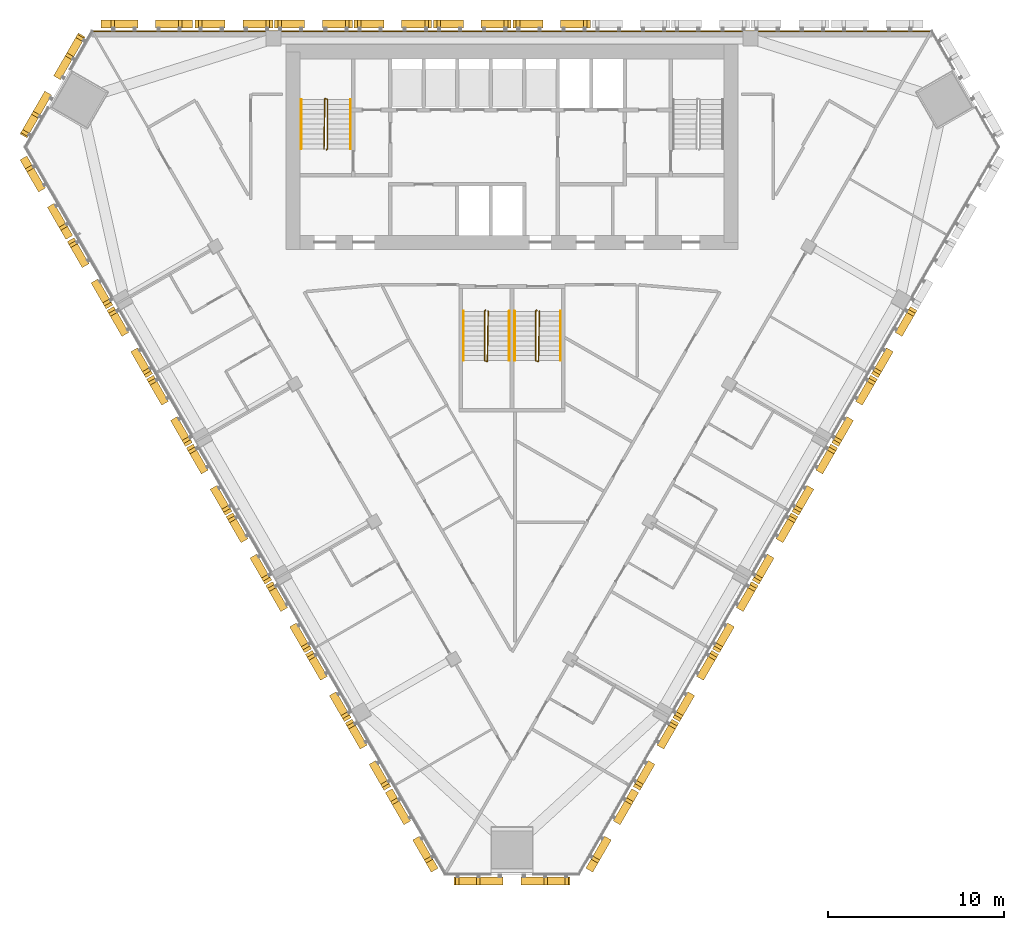
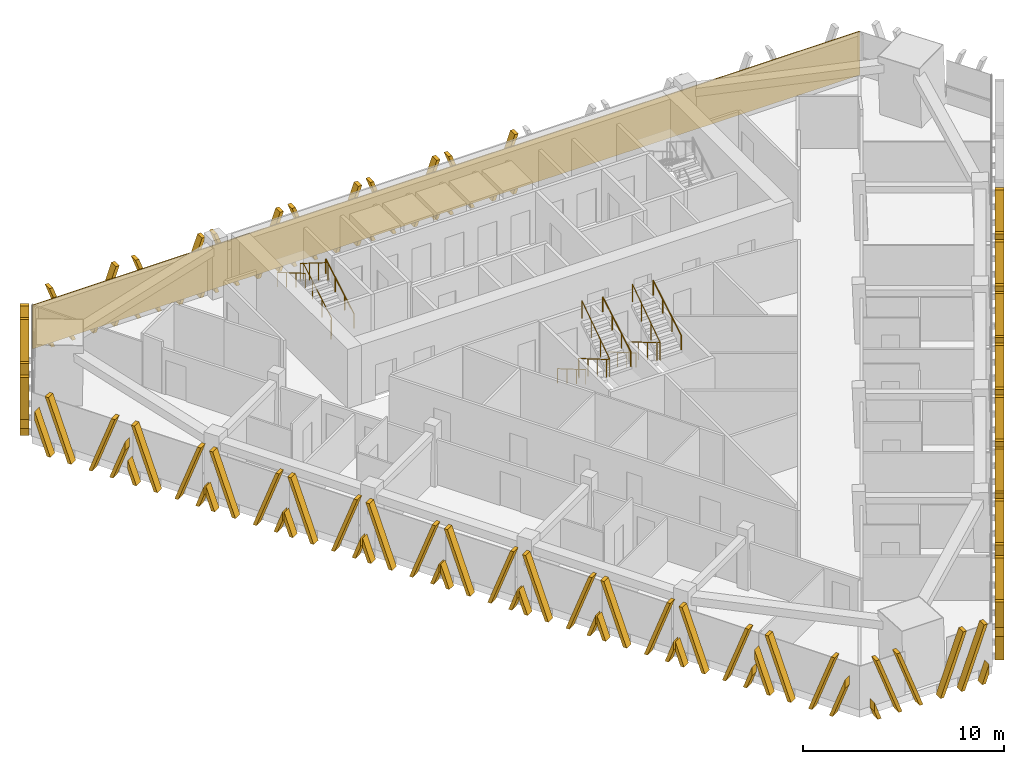
# One storey, part 14 of 16: 26 shading devices, 9 railings, 1 covering.
"""IFC4 building model written with IfcOpenShell, lengths in metres."""

from ifc_helpers import new_model, si_unit, direction, frame, frame_2d, origin, origin_2d, place, context, subcontext, project, spatial, polyline, rectangle, circle, outline, extrude, source, transform, mapped, material, layer, layer_set, type_object, element, save


model = new_model("IFC4")

# Units and contexts
model_context = context("Model", 3, precision=1e-05, world=origin(), true_north=direction((0.0, 1.0)))
body_context = subcontext(model_context, "Body", "Model", "MODEL_VIEW")
ifc_project = project(units=[si_unit("LENGTHUNIT", "METRE"), si_unit("AREAUNIT", "SQUARE_METRE"), si_unit("VOLUMEUNIT", "CUBIC_METRE"), si_unit("PLANEANGLEUNIT", "RADIAN"), si_unit("MASSUNIT", "GRAM", prefix="KILO")], contexts=[model_context])

# Site, building, storey
site_placement = place(None, origin())
site = spatial("IfcSite", under=ifc_project, at=site_placement, CompositionType="ELEMENT")
building_placement = place(site_placement, origin())
building = spatial("IfcBuilding", under=site, at=building_placement, Name="Altiplano Prism Tower", CompositionType="ELEMENT")
storey_placement = place(building_placement, frame((0.0, 0.0, 138.60009765625)))
storey = spatial("IfcBuildingStorey", under=building, at=storey_placement, Name="L35", CompositionType="ELEMENT", Elevation=138.60009765625)

# Railings
ifc_material_1 = material(Name="Steel S355", Category="steel")
railing_type_1 = type_object("IfcRailingType", Name="Stair guard 1100", PredefinedType="GUARDRAIL", material=ifc_material_1)
railing_1_placement = place(storey_placement, frame((74.5, 98.25, 0.0)))
element("IfcRailing", 1, at=railing_1_placement, inside=storey, type_object=railing_type_1, Name="L35 ST1 stair guard 1", PredefinedType="GUARDRAIL", context=body_context, shape_type="SweptSolid", body=[
    extrude(circle(Radius=0.02392578125, at=origin_2d()), frame((0.0, 0.0, 1.076171875), z_axis=(0.280808744504, 0.280808744504, 0.917765164963), x_axis=(-0.707106781187, 0.707106781187, 0.0)), (0.0, 0.0, 1.0), 0.17822265625),
    extrude(circle(Radius=0.02392578125, at=origin_2d()), frame((0.050048828125, 0.050048828125, 1.23974609375), z_axis=(0.0, 0.863393664356, 0.504530851732), x_axis=(-1.0, 0.0, 0.0)), (0.0, 0.0, 1.0), 3.2431640625),
    extrude(circle(Radius=0.02392578125, at=origin_2d()), frame((0.050048828125, 2.85009765625, 2.8759765625), z_axis=(-0.949145278916, 0.314838433982, 0.0), x_axis=(-0.314838433982, -0.949145278916, 0.0)), (0.0, 0.0, 1.0), 0.158203125),
    extrude(circle(Radius=0.02392578125, at=origin_2d()), frame((-0.10009765625, 2.89990234375, 2.8759765625), z_axis=(-0.01477401265, -0.845377694409, 0.533964682676), x_axis=(0.999847325713, -0.01747355902, 0.0)), (0.0, 0.0, 1.0), 3.37109375),
    extrude(circle(Radius=0.02099609375, at=origin_2d()), origin(), (0.0, 0.0, 1.0), 1.052001953125),
    extrude(circle(Radius=0.02099609375, at=origin_2d()), frame((0.050048828125, 0.050048828125, 0.16357421875)), (0.0, 0.0, 1.0), 1.052001953125),
    extrude(circle(Radius=0.02099609375, at=origin_2d()), frame((0.050048828125, 0.9833984375, 0.708984375)), (0.0, 0.0, 1.0), 1.052001953125),
    extrude(circle(Radius=0.02099609375, at=origin_2d()), frame((0.050048828125, 1.916748046875, 1.25439453125)), (0.0, 0.0, 1.0), 1.052001953125),
    extrude(circle(Radius=0.02099609375, at=origin_2d()), frame((0.050048828125, 2.85009765625, 1.7998046875)), (0.0, 0.0, 1.0), 1.052001953125),
    extrude(circle(Radius=0.02099609375, at=origin_2d()), frame((-0.10009765625, 2.89990234375, 1.7998046875)), (0.0, 0.0, 1.0), 1.052001953125),
    extrude(circle(Radius=0.02099609375, at=origin_2d()), frame((-0.11669921875, 1.949951171875, 2.39990234375)), (0.0, 0.0, 1.0), 1.052001953125),
    extrude(circle(Radius=0.02099609375, at=origin_2d()), frame((-0.13330078125, 1.0, 2.999755859375)), (0.0, 0.0, 1.0), 1.052001953125),
    extrude(circle(Radius=0.02099609375, at=origin_2d()), frame((-0.14990234375, 0.050048828125, 3.599853515625)), (0.0, 0.0, 1.0), 1.052001953125),
])
railing_2_placement = place(storey_placement, frame((83.5, 89.14990234375, 0.0)))
element("IfcRailing", 2, at=railing_2_placement, inside=storey, type_object=railing_type_1, Name="L35 ST3A stair guard 1", PredefinedType="GUARDRAIL", context=body_context, shape_type="SweptSolid", body=[
    extrude(circle(Radius=0.02392578125, at=origin_2d()), frame((0.0, 0.0, 1.076171875), z_axis=(-0.280916556609, -0.279546231943, 0.91811752648), x_axis=(0.705375805398, -0.708833529934, 0.0)), (0.0, 0.0, 1.0), 0.17822265625),
    extrude(circle(Radius=0.02392578125, at=origin_2d()), frame((-0.050048828125, -0.0498046875, 1.23974609375), z_axis=(0.0, -0.863393664356, 0.504530851732), x_axis=(1.0, 0.0, 0.0)), (0.0, 0.0, 1.0), 3.2431640625),
    extrude(circle(Radius=0.02392578125, at=origin_2d()), frame((-0.050048828125, -2.849853515625, 2.8759765625), z_axis=(0.948683298051, -0.316227766017, 0.0), x_axis=(0.316227766017, 0.948683298051, 0.0)), (0.0, 0.0, 1.0), 0.158203125),
    extrude(circle(Radius=0.02392578125, at=origin_2d()), frame((0.10009765625, -2.89990234375, 2.8759765625), z_axis=(0.014773108175, 0.84539835705, 0.533931993021), x_axis=(-0.999847351862, 0.017472062685, 0.0)), (0.0, 0.0, 1.0), 3.371337890625),
    extrude(circle(Radius=0.02099609375, at=origin_2d()), origin(), (0.0, 0.0, 1.0), 1.052001953125),
    extrude(circle(Radius=0.02099609375, at=origin_2d()), frame((-0.050048828125, -0.0498046875, 0.16357421875)), (0.0, 0.0, 1.0), 1.052001953125),
    extrude(circle(Radius=0.02099609375, at=origin_2d()), frame((-0.050048828125, -0.983154296875, 0.708984375)), (0.0, 0.0, 1.0), 1.052001953125),
    extrude(circle(Radius=0.02099609375, at=origin_2d()), frame((-0.050048828125, -1.91650390625, 1.25439453125)), (0.0, 0.0, 1.0), 1.052001953125),
    extrude(circle(Radius=0.02099609375, at=origin_2d()), frame((-0.050048828125, -2.849853515625, 1.7998046875)), (0.0, 0.0, 1.0), 1.052001953125),
    extrude(circle(Radius=0.02099609375, at=origin_2d()), frame((0.10009765625, -2.89990234375, 1.7998046875)), (0.0, 0.0, 1.0), 1.052001953125),
    extrude(circle(Radius=0.02099609375, at=origin_2d()), frame((0.11669921875, -1.949951171875, 2.39990234375)), (0.0, 0.0, 1.0), 1.052001953125),
    extrude(circle(Radius=0.02099609375, at=origin_2d()), frame((0.13330078125, -0.999755859375, 2.999755859375)), (0.0, 0.0, 1.0), 1.052001953125),
    extrude(circle(Radius=0.02099609375, at=origin_2d()), frame((0.14990234375, -0.0498046875, 3.599853515625)), (0.0, 0.0, 1.0), 1.052001953125),
])
railing_3_placement = place(storey_placement, frame((86.39990234375, 89.14990234375, 0.0)))
element("IfcRailing", 3, at=railing_3_placement, inside=storey, type_object=railing_type_1, Name="L35 ST3B stair guard 1", PredefinedType="GUARDRAIL", context=body_context, shape_type="SweptSolid", body=[
    extrude(circle(Radius=0.02392578125, at=origin_2d()), frame((0.0, 0.0, 1.076171875), z_axis=(-0.279653641804, -0.279653641804, 0.918470294159), x_axis=(0.707106781187, -0.707106781187, 0.0)), (0.0, 0.0, 1.0), 0.177978515625),
    extrude(circle(Radius=0.02392578125, at=origin_2d()), frame((-0.0498046875, -0.0498046875, 1.23974609375), z_axis=(0.0, -0.863393664356, 0.504530851732), x_axis=(1.0, 0.0, 0.0)), (0.0, 0.0, 1.0), 3.2431640625),
    extrude(circle(Radius=0.02392578125, at=origin_2d()), frame((-0.0498046875, -2.849853515625, 2.8759765625), z_axis=(0.948528701346, -0.316691178788, 0.0), x_axis=(0.316691178788, 0.948528701346, 0.0)), (0.0, 0.0, 1.0), 0.157958984375),
    extrude(circle(Radius=0.02392578125, at=origin_2d()), frame((0.10009765625, -2.89990234375, 2.8759765625), z_axis=(0.014845509451, 0.845397450405, 0.533931420407), x_axis=(-0.999845851991, 0.017557683712, 0.0)), (0.0, 0.0, 1.0), 3.371337890625),
    extrude(circle(Radius=0.02099609375, at=origin_2d()), origin(), (0.0, 0.0, 1.0), 1.052001953125),
    extrude(circle(Radius=0.02099609375, at=origin_2d()), frame((-0.0498046875, -0.0498046875, 0.16357421875)), (0.0, 0.0, 1.0), 1.052001953125),
    extrude(circle(Radius=0.02099609375, at=origin_2d()), frame((-0.0498046875, -0.983154296875, 0.708984375)), (0.0, 0.0, 1.0), 1.052001953125),
    extrude(circle(Radius=0.02099609375, at=origin_2d()), frame((-0.0498046875, -1.91650390625, 1.25439453125)), (0.0, 0.0, 1.0), 1.052001953125),
    extrude(circle(Radius=0.02099609375, at=origin_2d()), frame((-0.0498046875, -2.849853515625, 1.7998046875)), (0.0, 0.0, 1.0), 1.052001953125),
    extrude(circle(Radius=0.02099609375, at=origin_2d()), frame((0.10009765625, -2.89990234375, 1.7998046875)), (0.0, 0.0, 1.0), 1.052001953125),
    extrude(circle(Radius=0.02099609375, at=origin_2d()), frame((0.11669921875, -1.949951171875, 2.39990234375)), (0.0, 0.0, 1.0), 1.052001953125),
    extrude(circle(Radius=0.02099609375, at=origin_2d()), frame((0.133544921875, -0.999755859375, 2.999755859375)), (0.0, 0.0, 1.0), 1.052001953125),
    extrude(circle(Radius=0.02099609375, at=origin_2d()), frame((0.150146484375, -0.0498046875, 3.599853515625)), (0.0, 0.0, 1.0), 1.052001953125),
])
railing_type_2 = type_object("IfcRailingType", Name="Stair handrail 900", PredefinedType="HANDRAIL", material=ifc_material_1)
railing_4_placement = place(storey_placement, frame((75.85009765625, 98.300048828125, 0.16357421875)))
element("IfcRailing", 4, at=railing_4_placement, inside=storey, type_object=railing_type_2, Name="L35 ST1 stair handrail 1", PredefinedType="HANDRAIL", context=body_context, shape_type="SweptSolid", body=[
    extrude(circle(Radius=0.02392578125, at=origin_2d()), frame((0.0, 0.0, 0.8759765625), z_axis=(0.0, 0.863393664356, 0.504530851732), x_axis=(-1.0, 0.0, 0.0)), (0.0, 0.0, 1.0), 3.2431640625),
    extrude(circle(Radius=0.02099609375, at=origin_2d()), origin(), (0.0, 0.0, 1.0), 0.851806640625),
    extrude(circle(Radius=0.02099609375, at=origin_2d()), frame((0.0, 0.933349609375, 0.54541015625)), (0.0, 0.0, 1.0), 0.851806640625),
    extrude(circle(Radius=0.02099609375, at=origin_2d()), frame((0.0, 1.86669921875, 1.0908203125)), (0.0, 0.0, 1.0), 0.851806640625),
    extrude(circle(Radius=0.02099609375, at=origin_2d()), frame((0.0, 2.800048828125, 1.63623046875)), (0.0, 0.0, 1.0), 0.851806640625),
])
for number, where, name in (
    (5, (73.050048828125, 101.10009765625, 1.963623046875), "L35 ST1 stair handrail 2"),
    (6, (82.25, 89.10009765625, 0.16357421875), "L35 ST3A stair handrail 1"),
):
    element("IfcRailing", number, at=place(storey_placement, frame(where)), inside=storey, type_object=railing_type_2, Name=name, PredefinedType="HANDRAIL", context=body_context, shape_type="SweptSolid", body=[
        extrude(circle(Radius=0.02392578125, at=origin_2d()), frame((0.0, 0.0, 0.8759765625), z_axis=(0.0, -0.863393664356, 0.504530851732), x_axis=(1.0, 0.0, 0.0)), (0.0, 0.0, 1.0), 3.2431640625),
        extrude(circle(Radius=0.02099609375, at=origin_2d()), origin(), (0.0, 0.0, 1.0), 0.851806640625),
        extrude(circle(Radius=0.02099609375, at=origin_2d()), frame((0.0, -0.933349609375, 0.54541015625)), (0.0, 0.0, 1.0), 0.851806640625),
        extrude(circle(Radius=0.02099609375, at=origin_2d()), frame((0.0, -1.86669921875, 1.0908203125)), (0.0, 0.0, 1.0), 0.851806640625),
        extrude(circle(Radius=0.02099609375, at=origin_2d()), frame((0.0, -2.800048828125, 1.63623046875)), (0.0, 0.0, 1.0), 0.851806640625),
    ])
railing_5_placement = place(storey_placement, frame((84.85009765625, 86.300048828125, 1.963623046875)))
element("IfcRailing", 7, at=railing_5_placement, inside=storey, type_object=railing_type_2, Name="L35 ST3A stair handrail 2", PredefinedType="HANDRAIL", context=body_context, shape_type="SweptSolid", body=[
    extrude(circle(Radius=0.02392578125, at=origin_2d()), frame((0.0, 0.0, 0.8759765625), z_axis=(0.0, 0.863393664356, 0.504530851732), x_axis=(-1.0, 0.0, 0.0)), (0.0, 0.0, 1.0), 3.2431640625),
    extrude(circle(Radius=0.02099609375, at=origin_2d()), origin(), (0.0, 0.0, 1.0), 0.851806640625),
    extrude(circle(Radius=0.02099609375, at=origin_2d()), frame((0.0, 0.933349609375, 0.54541015625)), (0.0, 0.0, 1.0), 0.851806640625),
    extrude(circle(Radius=0.02099609375, at=origin_2d()), frame((0.0, 1.86669921875, 1.0908203125)), (0.0, 0.0, 1.0), 0.851806640625),
    extrude(circle(Radius=0.02099609375, at=origin_2d()), frame((0.0, 2.800048828125, 1.63623046875)), (0.0, 0.0, 1.0), 0.851806640625),
])
railing_6_placement = place(storey_placement, frame((85.14990234375, 89.10009765625, 0.16357421875)))
element("IfcRailing", 8, at=railing_6_placement, inside=storey, type_object=railing_type_2, Name="L35 ST3B stair handrail 1", PredefinedType="HANDRAIL", context=body_context, shape_type="SweptSolid", body=[
    extrude(circle(Radius=0.02392578125, at=origin_2d()), frame((0.0, 0.0, 0.8759765625), z_axis=(0.0, -0.863393664356, 0.504530851732), x_axis=(1.0, 0.0, 0.0)), (0.0, 0.0, 1.0), 3.2431640625),
    extrude(circle(Radius=0.02099609375, at=origin_2d()), origin(), (0.0, 0.0, 1.0), 0.851806640625),
    extrude(circle(Radius=0.02099609375, at=origin_2d()), frame((0.0, -0.933349609375, 0.54541015625)), (0.0, 0.0, 1.0), 0.851806640625),
    extrude(circle(Radius=0.02099609375, at=origin_2d()), frame((0.0, -1.86669921875, 1.0908203125)), (0.0, 0.0, 1.0), 0.851806640625),
    extrude(circle(Radius=0.02099609375, at=origin_2d()), frame((0.0, -2.800048828125, 1.63623046875)), (0.0, 0.0, 1.0), 0.851806640625),
])
railing_7_placement = place(storey_placement, frame((87.75, 86.300048828125, 1.963623046875)))
element("IfcRailing", 9, at=railing_7_placement, inside=storey, type_object=railing_type_2, Name="L35 ST3B stair handrail 2", PredefinedType="HANDRAIL", context=body_context, shape_type="SweptSolid", body=[
    extrude(circle(Radius=0.02392578125, at=origin_2d()), frame((0.0, 0.0, 0.8759765625), z_axis=(0.0, 0.863393664356, 0.504530851732), x_axis=(-1.0, 0.0, 0.0)), (0.0, 0.0, 1.0), 3.2431640625),
    extrude(circle(Radius=0.02099609375, at=origin_2d()), origin(), (0.0, 0.0, 1.0), 0.851806640625),
    extrude(circle(Radius=0.02099609375, at=origin_2d()), frame((0.0, 0.933349609375, 0.54541015625)), (0.0, 0.0, 1.0), 0.851806640625),
    extrude(circle(Radius=0.02099609375, at=origin_2d()), frame((0.0, 1.86669921875, 1.0908203125)), (0.0, 0.0, 1.0), 0.851806640625),
    extrude(circle(Radius=0.02099609375, at=origin_2d()), frame((0.0, 2.800048828125, 1.63623046875)), (0.0, 0.0, 1.0), 0.851806640625),
])

# Covering
ifc_material_2 = material(Name="Warm limestone cast stone", Category="masonry")
ifc_layer = layer(ifc_material_2, 0.06005859375)
ifc_layer_set = layer_set([ifc_layer], Name="Warm limestone cast stone")
covering_type = type_object("IfcCoveringType", Name="Stone cladding 60", PredefinedType="CLADDING", material=ifc_layer_set)
covering_placement = place(storey_placement, frame((61.2001953125, 104.969970703125, 0.0), z_axis=(0.0, 0.0, 1.0), x_axis=(1.0, 0.0, 0.0)))
element("IfcCovering", 10, at=covering_placement, inside=storey, type_object=covering_type, Name="Stone cladding north face L35", PredefinedType="CLADDING", context=body_context, shape_type="SweptSolid", body=[
    extrude(rectangle(XDim=47.599609375, YDim=0.06005859375, at=frame_2d((23.7998046875, 0.0))), origin(), (0.0, 0.0, 1.0), 2.64990234375),
])

# Shading devices
shading_device_type_1 = type_object("IfcShadingDeviceType", Name="Stone fin panel, standard unit", PredefinedType="USERDEFINED", material=ifc_material_2)
shared_shape_1 = source(origin(), body_context, "Body", "SweptSolid", [
    extrude(outline(polyline([(-2.199951171875, 1.373779296875), (-2.199951171875, 0.82421875), (-1.89990234375, 0.0), (-1.699951171875, 0.0), (-2.199951171875, 1.373779296875)])), frame((0.0, -0.14990234375, 0.0), z_axis=(0.0, -1.0, 0.0), x_axis=(1.0, 0.0, 0.0)), (0.0, 0.0, 1.0), 0.4501953125),
    extrude(outline(polyline([(-2.01025390625, 3.60009765625), (-0.699951171875, 0.0), (-0.5, 0.0), (-1.810302734375, 3.60009765625), (-2.01025390625, 3.60009765625)])), frame((0.0, -0.14990234375, 0.0), z_axis=(0.0, -1.0, 0.0), x_axis=(1.0, 0.0, 0.0)), (0.0, 0.0, 1.0), 0.4501953125),
    extrude(outline(polyline([(1.810302734375, 3.60009765625), (0.5, 0.0), (0.699951171875, 0.0), (2.01025390625, 3.60009765625), (1.810302734375, 3.60009765625)])), frame((0.0, -0.14990234375, 0.0), z_axis=(0.0, -1.0, 0.0), x_axis=(1.0, 0.0, 0.0)), (0.0, 0.0, 1.0), 0.4501953125),
    extrude(outline(polyline([(2.199951171875, 0.82421875), (2.199951171875, 1.373779296875), (1.699951171875, 0.0), (1.89990234375, 0.0), (2.199951171875, 0.82421875)])), frame((0.0, -0.14990234375, 0.0), z_axis=(0.0, -1.0, 0.0), x_axis=(1.0, 0.0, 0.0)), (0.0, 0.0, 1.0), 0.4501953125),
])
shading_device_1_placement = place(storey_placement, origin())
element("IfcShadingDevice", 11, at=shading_device_1_placement, inside=storey, type_object=shading_device_type_1, Name="Fin L35 north face 5", ObjectType="FIN", PredefinedType="USERDEFINED", context=body_context, shape_type="MappedRepresentation", body=[
    mapped(shared_shape_1, transform((87.25, 105.0, -0.4501953125), x_axis=(-1.0, 0.0, 0.0), y_axis=(0.0, -1.0, 0.0), z_axis=(0.0, 0.0, 1.0))),
])
shading_device_2_placement = place(storey_placement, origin())
element("IfcShadingDevice", 12, at=shading_device_2_placement, inside=storey, type_object=shading_device_type_1, Name="Fin L35 north face 6", ObjectType="FIN", PredefinedType="USERDEFINED", context=body_context, shape_type="MappedRepresentation", body=[
    mapped(shared_shape_1, transform((82.75, 105.0, -0.4501953125), x_axis=(-1.0, 0.0, 0.0), y_axis=(0.0, -1.0, 0.0), z_axis=(0.0, 0.0, 1.0))),
])
shading_device_3_placement = place(storey_placement, origin())
element("IfcShadingDevice", 13, at=shading_device_3_placement, inside=storey, type_object=shading_device_type_1, Name="Fin L35 north face 7", ObjectType="FIN", PredefinedType="USERDEFINED", context=body_context, shape_type="MappedRepresentation", body=[
    mapped(shared_shape_1, transform((78.25, 105.0, -0.4501953125), x_axis=(-1.0, 0.0, 0.0), y_axis=(0.0, -1.0, 0.0), z_axis=(0.0, 0.0, 1.0))),
])
shading_device_4_placement = place(storey_placement, origin())
element("IfcShadingDevice", 14, at=shading_device_4_placement, inside=storey, type_object=shading_device_type_1, Name="Fin L35 north face 8", ObjectType="FIN", PredefinedType="USERDEFINED", context=body_context, shape_type="MappedRepresentation", body=[
    mapped(shared_shape_1, transform((73.75, 105.0, -0.4501953125), x_axis=(-1.0, 0.0, 0.0), y_axis=(0.0, -1.0, 0.0), z_axis=(0.0, 0.0, 1.0))),
])
shading_device_5_placement = place(storey_placement, origin())
element("IfcShadingDevice", 15, at=shading_device_5_placement, inside=storey, type_object=shading_device_type_1, Name="Fin L35 north face 9", ObjectType="FIN", PredefinedType="USERDEFINED", context=body_context, shape_type="MappedRepresentation", body=[
    mapped(shared_shape_1, transform((69.25, 105.0, -0.4501953125), x_axis=(-1.0, 0.0, 0.0), y_axis=(0.0, -1.0, 0.0), z_axis=(0.0, 0.0, 1.0))),
])
shading_device_6_placement = place(storey_placement, origin())
element("IfcShadingDevice", 16, at=shading_device_6_placement, inside=storey, type_object=shading_device_type_1, Name="Fin L35 south-west face 2", ObjectType="FIN", PredefinedType="USERDEFINED", context=body_context, shape_type="MappedRepresentation", body=[
    mapped(shared_shape_1, transform((61.418212890625, 91.434814453125, -0.4501953125), x_axis=(0.499999989809, -0.866025409668, 0.0), y_axis=(0.866025409668, 0.499999989809, 0.0), z_axis=(0.0, 0.0, 1.0))),
])
shading_device_7_placement = place(storey_placement, origin())
element("IfcShadingDevice", 17, at=shading_device_7_placement, inside=storey, type_object=shading_device_type_1, Name="Fin L35 south-west face 3", ObjectType="FIN", PredefinedType="USERDEFINED", context=body_context, shape_type="MappedRepresentation", body=[
    mapped(shared_shape_1, transform((63.668212890625, 87.53759765625, -0.4501953125), x_axis=(0.499999989809, -0.866025409668, 0.0), y_axis=(0.866025409668, 0.499999989809, 0.0), z_axis=(0.0, 0.0, 1.0))),
])
shading_device_8_placement = place(storey_placement, origin())
element("IfcShadingDevice", 18, at=shading_device_8_placement, inside=storey, type_object=shading_device_type_1, Name="Fin L35 south-west face 4", ObjectType="FIN", PredefinedType="USERDEFINED", context=body_context, shape_type="MappedRepresentation", body=[
    mapped(shared_shape_1, transform((65.918212890625, 83.640625, -0.4501953125), x_axis=(0.499999989809, -0.866025409668, 0.0), y_axis=(0.866025409668, 0.499999989809, 0.0), z_axis=(0.0, 0.0, 1.0))),
])
shading_device_9_placement = place(storey_placement, origin())
element("IfcShadingDevice", 19, at=shading_device_9_placement, inside=storey, type_object=shading_device_type_1, Name="Fin L35 south-west face 5", ObjectType="FIN", PredefinedType="USERDEFINED", context=body_context, shape_type="MappedRepresentation", body=[
    mapped(shared_shape_1, transform((68.168212890625, 79.743408203125, -0.4501953125), x_axis=(0.499999989809, -0.866025409668, 0.0), y_axis=(0.866025409668, 0.499999989809, 0.0), z_axis=(0.0, 0.0, 1.0))),
])
shading_device_10_placement = place(storey_placement, origin())
element("IfcShadingDevice", 20, at=shading_device_10_placement, inside=storey, type_object=shading_device_type_1, Name="Fin L35 south-west face 6", ObjectType="FIN", PredefinedType="USERDEFINED", context=body_context, shape_type="MappedRepresentation", body=[
    mapped(shared_shape_1, transform((70.418212890625, 75.846435546875, -0.4501953125), x_axis=(0.499999989809, -0.866025409668, 0.0), y_axis=(0.866025409668, 0.499999989809, 0.0), z_axis=(0.0, 0.0, 1.0))),
])
shading_device_11_placement = place(storey_placement, origin())
element("IfcShadingDevice", 21, at=shading_device_11_placement, inside=storey, type_object=shading_device_type_1, Name="Fin L35 south-west face 7", ObjectType="FIN", PredefinedType="USERDEFINED", context=body_context, shape_type="MappedRepresentation", body=[
    mapped(shared_shape_1, transform((72.668212890625, 71.94921875, -0.4501953125), x_axis=(0.499999989809, -0.866025409668, 0.0), y_axis=(0.866025409668, 0.499999989809, 0.0), z_axis=(0.0, 0.0, 1.0))),
])
shading_device_12_placement = place(storey_placement, origin())
element("IfcShadingDevice", 22, at=shading_device_12_placement, inside=storey, type_object=shading_device_type_1, Name="Fin L35 south-west face 8", ObjectType="FIN", PredefinedType="USERDEFINED", context=body_context, shape_type="MappedRepresentation", body=[
    mapped(shared_shape_1, transform((74.918212890625, 68.05224609375, -0.4501953125), x_axis=(0.499999989809, -0.866025409668, 0.0), y_axis=(0.866025409668, 0.499999989809, 0.0), z_axis=(0.0, 0.0, 1.0))),
])
shading_device_13_placement = place(storey_placement, origin())
element("IfcShadingDevice", 23, at=shading_device_13_placement, inside=storey, type_object=shading_device_type_1, Name="Fin L35 south-west face 9", ObjectType="FIN", PredefinedType="USERDEFINED", context=body_context, shape_type="MappedRepresentation", body=[
    mapped(shared_shape_1, transform((77.168212890625, 64.155029296875, -0.4501953125), x_axis=(0.499999989809, -0.866025409668, 0.0), y_axis=(0.866025409668, 0.499999989809, 0.0), z_axis=(0.0, 0.0, 1.0))),
])
shading_device_14_placement = place(storey_placement, origin())
element("IfcShadingDevice", 24, at=shading_device_14_placement, inside=storey, type_object=shading_device_type_1, Name="Fin L35 south-east face 2", ObjectType="FIN", PredefinedType="USERDEFINED", context=body_context, shape_type="MappedRepresentation", body=[
    mapped(shared_shape_1, transform((92.831787109375, 64.155029296875, -0.4501953125), x_axis=(0.499999989809, 0.866025409668, 0.0), y_axis=(-0.866025409668, 0.499999989809, 0.0), z_axis=(0.0, 0.0, 1.0))),
])
shading_device_15_placement = place(storey_placement, origin())
element("IfcShadingDevice", 25, at=shading_device_15_placement, inside=storey, type_object=shading_device_type_1, Name="Fin L35 south-east face 3", ObjectType="FIN", PredefinedType="USERDEFINED", context=body_context, shape_type="MappedRepresentation", body=[
    mapped(shared_shape_1, transform((95.081787109375, 68.05224609375, -0.4501953125), x_axis=(0.499999989809, 0.866025409668, 0.0), y_axis=(-0.866025409668, 0.499999989809, 0.0), z_axis=(0.0, 0.0, 1.0))),
])
shading_device_16_placement = place(storey_placement, origin())
element("IfcShadingDevice", 26, at=shading_device_16_placement, inside=storey, type_object=shading_device_type_1, Name="Fin L35 south-east face 4", ObjectType="FIN", PredefinedType="USERDEFINED", context=body_context, shape_type="MappedRepresentation", body=[
    mapped(shared_shape_1, transform((97.331787109375, 71.94921875, -0.4501953125), x_axis=(0.499999989809, 0.866025409668, 0.0), y_axis=(-0.866025409668, 0.499999989809, 0.0), z_axis=(0.0, 0.0, 1.0))),
])
shading_device_17_placement = place(storey_placement, origin())
element("IfcShadingDevice", 27, at=shading_device_17_placement, inside=storey, type_object=shading_device_type_1, Name="Fin L35 south-east face 5", ObjectType="FIN", PredefinedType="USERDEFINED", context=body_context, shape_type="MappedRepresentation", body=[
    mapped(shared_shape_1, transform((99.581787109375, 75.846435546875, -0.4501953125), x_axis=(0.499999989809, 0.866025409668, 0.0), y_axis=(-0.866025409668, 0.499999989809, 0.0), z_axis=(0.0, 0.0, 1.0))),
])
shading_device_18_placement = place(storey_placement, origin())
element("IfcShadingDevice", 28, at=shading_device_18_placement, inside=storey, type_object=shading_device_type_1, Name="Fin L35 south-east face 6", ObjectType="FIN", PredefinedType="USERDEFINED", context=body_context, shape_type="MappedRepresentation", body=[
    mapped(shared_shape_1, transform((101.831787109375, 79.743408203125, -0.4501953125), x_axis=(0.499999989809, 0.866025409668, 0.0), y_axis=(-0.866025409668, 0.499999989809, 0.0), z_axis=(0.0, 0.0, 1.0))),
])
shading_device_19_placement = place(storey_placement, origin())
element("IfcShadingDevice", 29, at=shading_device_19_placement, inside=storey, type_object=shading_device_type_1, Name="Fin L35 south-east face 7", ObjectType="FIN", PredefinedType="USERDEFINED", context=body_context, shape_type="MappedRepresentation", body=[
    mapped(shared_shape_1, transform((104.081787109375, 83.640625, -0.4501953125), x_axis=(0.499999989809, 0.866025409668, 0.0), y_axis=(-0.866025409668, 0.499999989809, 0.0), z_axis=(0.0, 0.0, 1.0))),
])
shading_device_20_placement = place(storey_placement, origin())
element("IfcShadingDevice", 30, at=shading_device_20_placement, inside=storey, type_object=shading_device_type_1, Name="Fin L35 south-east face 8", ObjectType="FIN", PredefinedType="USERDEFINED", context=body_context, shape_type="MappedRepresentation", body=[
    mapped(shared_shape_1, transform((106.331787109375, 87.53759765625, -0.4501953125), x_axis=(0.499999989809, 0.866025409668, 0.0), y_axis=(-0.866025409668, 0.499999989809, 0.0), z_axis=(0.0, 0.0, 1.0))),
])
shading_device_type_2 = type_object("IfcShadingDeviceType", Name="Stone fin panel, wide closing bay", PredefinedType="USERDEFINED", material=ifc_material_2)
shared_shape_2 = source(origin(), body_context, "Body", "SweptSolid", [
    extrude(outline(polyline([(-2.60009765625, 2.47265625), (-2.60009765625, 1.923095703125), (-1.89990234375, 0.0), (-1.699951171875, 0.0), (-2.60009765625, 2.47265625)])), frame((0.0, -0.14990234375, 0.0), z_axis=(0.0, -1.0, 0.0), x_axis=(1.0, 0.0, 0.0)), (0.0, 0.0, 1.0), 0.4501953125),
    extrude(outline(polyline([(-2.01025390625, 3.60009765625), (-0.699951171875, 0.0), (-0.5, 0.0), (-1.810302734375, 3.60009765625), (-2.01025390625, 3.60009765625)])), frame((0.0, -0.14990234375, 0.0), z_axis=(0.0, -1.0, 0.0), x_axis=(1.0, 0.0, 0.0)), (0.0, 0.0, 1.0), 0.4501953125),
    extrude(outline(polyline([(1.810302734375, 3.60009765625), (0.5, 0.0), (0.699951171875, 0.0), (2.01025390625, 3.60009765625), (1.810302734375, 3.60009765625)])), frame((0.0, -0.14990234375, 0.0), z_axis=(0.0, -1.0, 0.0), x_axis=(1.0, 0.0, 0.0)), (0.0, 0.0, 1.0), 0.4501953125),
    extrude(outline(polyline([(2.60009765625, 1.923095703125), (2.60009765625, 2.47265625), (1.699951171875, 0.0), (1.89990234375, 0.0), (2.60009765625, 1.923095703125)])), frame((0.0, -0.14990234375, 0.0), z_axis=(0.0, -1.0, 0.0), x_axis=(1.0, 0.0, 0.0)), (0.0, 0.0, 1.0), 0.4501953125),
])
shading_device_21_placement = place(storey_placement, origin())
element("IfcShadingDevice", 31, at=shading_device_21_placement, inside=storey, type_object=shading_device_type_2, Name="Fin L35 north face 10", ObjectType="FIN", PredefinedType="USERDEFINED", context=body_context, shape_type="MappedRepresentation", body=[
    mapped(shared_shape_2, transform((64.300048828125, 105.0, -0.4501953125), x_axis=(-1.0, 0.0, 0.0), y_axis=(0.0, -1.0, 0.0), z_axis=(0.0, 0.0, 1.0))),
])
shading_device_22_placement = place(storey_placement, origin())
element("IfcShadingDevice", 32, at=shading_device_22_placement, inside=storey, type_object=shading_device_type_2, Name="Fin L35 south-west face 1", ObjectType="FIN", PredefinedType="USERDEFINED", context=body_context, shape_type="MappedRepresentation", body=[
    mapped(shared_shape_2, transform((58.943115234375, 95.7216796875, -0.4501953125), x_axis=(0.499999989809, -0.866025409668, 0.0), y_axis=(0.866025409668, 0.499999989809, 0.0), z_axis=(0.0, 0.0, 1.0))),
])
shading_device_23_placement = place(storey_placement, origin())
element("IfcShadingDevice", 33, at=shading_device_23_placement, inside=storey, type_object=shading_device_type_2, Name="Fin L35 south-west face 10", ObjectType="FIN", PredefinedType="USERDEFINED", context=body_context, shape_type="MappedRepresentation", body=[
    mapped(shared_shape_2, transform((79.64306640625, 59.868408203125, -0.4501953125), x_axis=(0.499999989809, -0.866025409668, 0.0), y_axis=(0.866025409668, 0.499999989809, 0.0), z_axis=(0.0, 0.0, 1.0))),
])
shading_device_24_placement = place(storey_placement, origin())
element("IfcShadingDevice", 34, at=shading_device_24_placement, inside=storey, type_object=shading_device_type_2, Name="Fin L35 south-east face 1", ObjectType="FIN", PredefinedType="USERDEFINED", context=body_context, shape_type="MappedRepresentation", body=[
    mapped(shared_shape_2, transform((90.35693359375, 59.868408203125, -0.4501953125), x_axis=(0.499999989809, 0.866025409668, 0.0), y_axis=(-0.866025409668, 0.499999989809, 0.0), z_axis=(0.0, 0.0, 1.0))),
])
shading_device_type_3 = type_object("IfcShadingDeviceType", Name="Stone fin panel, chamfer unit", PredefinedType="USERDEFINED", material=ifc_material_2)
shared_shape_3 = source(origin(), body_context, "Body", "SweptSolid", [
    extrude(outline(polyline([(-3.300048828125, 1.09912109375), (-3.300048828125, 0.549560546875), (-3.10009765625, 0.0), (-2.89990234375, 0.0), (-3.300048828125, 1.09912109375)])), frame((0.0, -0.14990234375, 0.0), z_axis=(0.0, -1.0, 0.0), x_axis=(1.0, 0.0, 0.0)), (0.0, 0.0, 1.0), 0.4501953125),
    extrude(outline(polyline([(-3.210205078125, 3.60009765625), (-1.89990234375, 0.0), (-1.699951171875, 0.0), (-3.01025390625, 3.60009765625), (-3.210205078125, 3.60009765625)])), frame((0.0, -0.14990234375, 0.0), z_axis=(0.0, -1.0, 0.0), x_axis=(1.0, 0.0, 0.0)), (0.0, 0.0, 1.0), 0.4501953125),
    extrude(outline(polyline([(-2.01025390625, 3.60009765625), (-0.699951171875, 0.0), (-0.5, 0.0), (-1.810302734375, 3.60009765625), (-2.01025390625, 3.60009765625)])), frame((0.0, -0.14990234375, 0.0), z_axis=(0.0, -1.0, 0.0), x_axis=(1.0, 0.0, 0.0)), (0.0, 0.0, 1.0), 0.4501953125),
    extrude(outline(polyline([(1.810302734375, 3.60009765625), (0.5, 0.0), (0.699951171875, 0.0), (2.01025390625, 3.60009765625), (1.810302734375, 3.60009765625)])), frame((0.0, -0.14990234375, 0.0), z_axis=(0.0, -1.0, 0.0), x_axis=(1.0, 0.0, 0.0)), (0.0, 0.0, 1.0), 0.4501953125),
    extrude(outline(polyline([(3.01025390625, 3.60009765625), (1.699951171875, 0.0), (1.89990234375, 0.0), (3.210205078125, 3.60009765625), (3.01025390625, 3.60009765625)])), frame((0.0, -0.14990234375, 0.0), z_axis=(0.0, -1.0, 0.0), x_axis=(1.0, 0.0, 0.0)), (0.0, 0.0, 1.0), 0.4501953125),
    extrude(outline(polyline([(3.300048828125, 0.549560546875), (3.300048828125, 1.09912109375), (2.89990234375, 0.0), (3.10009765625, 0.0), (3.300048828125, 0.549560546875)])), frame((0.0, -0.14990234375, 0.0), z_axis=(0.0, -1.0, 0.0), x_axis=(1.0, 0.0, 0.0)), (0.0, 0.0, 1.0), 0.4501953125),
])
shading_device_25_placement = place(storey_placement, origin())
element("IfcShadingDevice", 35, at=shading_device_25_placement, inside=storey, type_object=shading_device_type_3, Name="Fin L35 north-west chamfer 1", ObjectType="FIN", PredefinedType="USERDEFINED", context=body_context, shape_type="MappedRepresentation", body=[
    mapped(shared_shape_3, transform((59.296630859375, 101.703125, -0.4501953125), x_axis=(-0.500000004206, -0.866025401356, 0.0), y_axis=(0.866025401356, -0.500000004206, 0.0), z_axis=(0.0, 0.0, 1.0))),
])
shading_device_26_placement = place(storey_placement, origin())
element("IfcShadingDevice", 36, at=shading_device_26_placement, inside=storey, type_object=shading_device_type_3, Name="Fin L35 south chamfer 1", ObjectType="FIN", PredefinedType="USERDEFINED", context=body_context, shape_type="MappedRepresentation", body=[
    mapped(shared_shape_3, transform((85.0, 57.18359375, -0.4501953125), x_axis=(1.0, 0.0, 0.0), y_axis=(0.0, 1.0, 0.0), z_axis=(0.0, 0.0, 1.0))),
])

save(model, "model.ifc")
